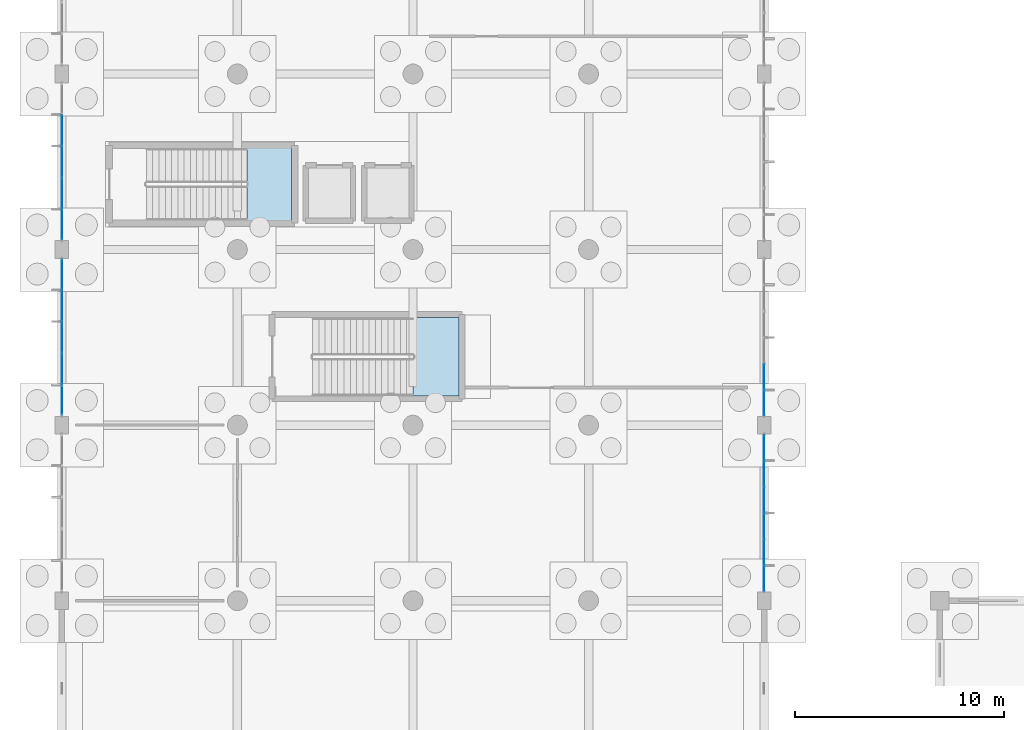
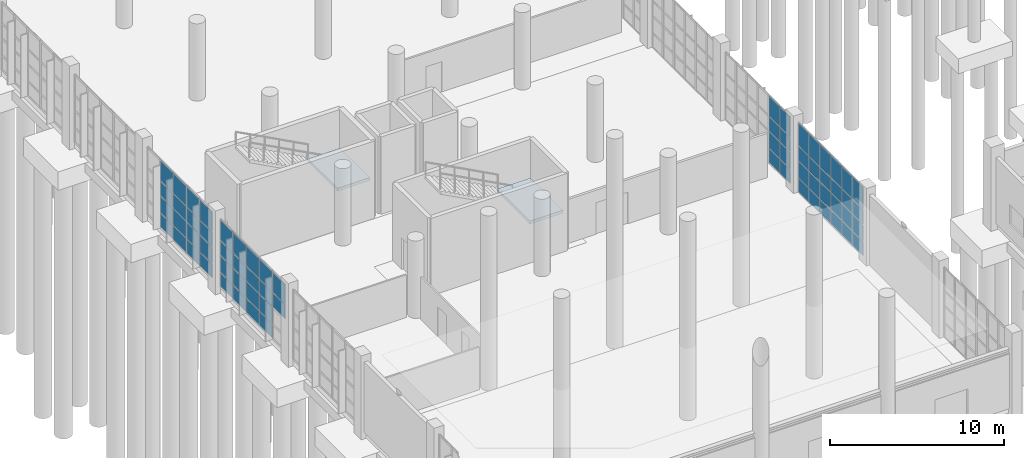
# One storey, part 39 of 83: 66 plates, 2 slabs, 6 elements without a shape of their own.
"""IFC4 building model written with IfcOpenShell, lengths in metres."""

import ifcopenshell
import ifcopenshell.guid

model = None  # the IFC model being written
_history = None  # IfcOwnerHistory: only IFC2X3 demands one
_inside = {}  # id of a spatial element -> (the spatial element, [elements in it])
_under = {}  # id of a project, library or spatial element -> (it, [spatial elements below it])
_declared = {}  # id of a project -> (the project, [libraries it declares])
_typed = {}  # id of a type object -> (the type object, [elements of that type])
_made_of = {}  # id of a material, layer set ... -> (it, [elements and type objects made of it])


def new_model(schema):
    """Start an empty IFC model of exactly this schema.

    Asked for "IFC4X3", IfcOpenShell would pick the latest addendum, in which some entities
    have other attributes; the version numbers below select the first issue.
    IFC2X3 requires an IfcOwnerHistory on every rooted entity: one is made here for all.
    """
    global model, _history
    if schema == "IFC4X3":
        model = ifcopenshell.file(schema_version=(4, 3, 0, 0))
    else:
        model = ifcopenshell.file(schema=schema)
    _inside.clear()
    _under.clear()
    _declared.clear()
    _typed.clear()
    _made_of.clear()
    _history = None
    if model.schema == "IFC2X3":
        org = make("IfcOrganization", Name="unknown")
        user = make(
            "IfcPersonAndOrganization",
            ThePerson=make("IfcPerson", FamilyName="unknown"),
            TheOrganization=org,
        )
        app = make(
            "IfcApplication",
            ApplicationDeveloper=org,
            Version="unknown",
            ApplicationFullName="unknown",
            ApplicationIdentifier="unknown",
        )
        _history = make(
            "IfcOwnerHistory",
            OwningUser=user,
            OwningApplication=app,
            ChangeAction="ADDED",
            CreationDate=0,
        )
    return model


def make(cls, **values):
    """One entity of the class cls with the attributes given. An attribute that is None is left unset."""
    return model.create_entity(
        cls, **{name: value for name, value in values.items() if value is not None}
    )


def rooted(cls, **values):
    """An entity with a GlobalId (a new one), such as an element, a storey or a relation."""
    return make(cls, GlobalId=ifcopenshell.guid.new(), OwnerHistory=_history, **values)


def si_unit(unit_type, name, prefix=None):
    """IfcSIUnit, for example si_unit("LENGTHUNIT", "METRE", prefix="MILLI")."""
    return make("IfcSIUnit", UnitType=unit_type, Prefix=prefix, Name=name)


def assignment(units):
    """IfcUnitAssignment: the units of a project."""
    return None if units is None else make("IfcUnitAssignment", Units=units)


def point(xyz):
    """IfcCartesianPoint."""
    return None if xyz is None else make("IfcCartesianPoint", Coordinates=xyz)


def direction(xyz):
    """IfcDirection."""
    return None if xyz is None else make("IfcDirection", DirectionRatios=xyz)


def frame(location, z_axis=None, x_axis=None):
    """IfcAxis2Placement3D, a coordinate frame: its origin and axes. An axis left out is left unset."""
    return make(
        "IfcAxis2Placement3D",
        Location=point(location),
        Axis=direction(z_axis),
        RefDirection=direction(x_axis),
    )


def frame_2d(location, x_axis=None):
    """IfcAxis2Placement2D, a coordinate frame in the plane: its origin and x axis."""
    return make(
        "IfcAxis2Placement2D", Location=point(location), RefDirection=direction(x_axis)
    )


def origin():
    """The frame at (0, 0, 0) with its axes left unset."""
    return frame((0.0, 0.0, 0.0))


def origin_2d():
    """The frame at (0, 0) in the plane with its x axis left unset."""
    return frame_2d((0.0, 0.0))


def place(relative_to, where):
    """IfcLocalPlacement: puts the frame where relative to a parent placement (None: the world)."""
    return make(
        "IfcLocalPlacement", PlacementRelTo=relative_to, RelativePlacement=where
    )


def context(
    kind, dimensions, precision=None, world=None, true_north=None, identifier=None
):
    """IfcGeometricRepresentationContext, for example the 3D "Model" context."""
    return make(
        "IfcGeometricRepresentationContext",
        ContextIdentifier=identifier,
        ContextType=kind,
        CoordinateSpaceDimension=dimensions,
        Precision=precision,
        WorldCoordinateSystem=world,
        TrueNorth=true_north,
    )


def subcontext(parent, identifier, kind, view, scale=None):
    """IfcGeometricRepresentationSubContext, for example "Body" below "Model"."""
    return make(
        "IfcGeometricRepresentationSubContext",
        ContextIdentifier=identifier,
        ContextType=kind,
        ParentContext=parent,
        TargetScale=scale,
        TargetView=view,
    )


def project(units=None, contexts=None):
    """IfcProject with its units and contexts."""
    return rooted(
        "IfcProject",
        Name="project",
        RepresentationContexts=contexts,
        UnitsInContext=assignment(units),
    )


def spatial(cls, under=None, at=None, **own):
    """A site, building, storey or space (cls), placed at a placement, below another one or the project."""
    s = rooted(cls, ObjectPlacement=at, **own)
    if under is not None:
        _under.setdefault(under.id(), (under, []))[1].append(s)
    return s


def polyline(points):
    """IfcPolyline through the points."""
    return make("IfcPolyline", Points=[point(p) for p in points])


def profile(cls, at=None, kind="AREA", **sizes):
    """A parametric profile (cls). Its sizes go by their IFC names, for example OverallWidth=200.0."""
    return make(cls, ProfileType=kind, Position=at, **sizes)


def rectangle(**sizes):
    """IfcRectangleProfileDef."""
    return profile("IfcRectangleProfileDef", **sizes)


def outline(outer, holes=None, kind="AREA"):
    """IfcArbitraryClosedProfileDef: a profile drawn as a closed curve; with holes, ...WithVoids."""
    if holes is None:
        return make("IfcArbitraryClosedProfileDef", ProfileType=kind, OuterCurve=outer)
    return make(
        "IfcArbitraryProfileDefWithVoids",
        ProfileType=kind,
        OuterCurve=outer,
        InnerCurves=holes,
    )


def extrude(swept, where, along, depth):
    """IfcExtrudedAreaSolid: the profile swept, set in the frame where, extruded along a direction by depth."""
    return make(
        "IfcExtrudedAreaSolid",
        SweptArea=swept,
        Position=where,
        ExtrudedDirection=direction(along),
        Depth=depth,
    )


def shape(context_of_items, identifier, shape_type, items):
    """IfcShapeRepresentation: the items that make up one representation, for example the "Body"."""
    return make(
        "IfcShapeRepresentation",
        ContextOfItems=context_of_items,
        RepresentationIdentifier=identifier,
        RepresentationType=shape_type,
        Items=items,
    )


def material(Name=None, Category=None):
    """IfcMaterial."""
    return make("IfcMaterial", Name=Name, Category=Category)


def layer(
    of_material, thickness, ventilated=None, Name=None, Category=None, Priority=None
):
    """IfcMaterialLayer: one layer of a wall or slab, of a material (None: an air gap)."""
    return make(
        "IfcMaterialLayer",
        Material=of_material,
        LayerThickness=thickness,
        IsVentilated=ventilated,
        Name=Name,
        Category=Category,
        Priority=Priority,
    )


def layer_set(layers, Name=None):
    """IfcMaterialLayerSet."""
    return make("IfcMaterialLayerSet", MaterialLayers=layers, LayerSetName=Name)


def made_of(thing, what):
    """Note that an element or type object is made of a material, layer set ...; save() writes the relation."""
    if what is not None:
        _made_of.setdefault(what.id(), (what, []))[1].append(thing)
    return thing


def type_object(cls, material=None, **own):
    """A type object (cls), such as IfcWallType, which elements share."""
    return made_of(rooted(cls, **own), material)


def element(
    cls,
    number,
    at=None,
    inside=None,
    cuts=None,
    type_object=None,
    material=None,
    context=None,
    identifier="Body",
    shape_type=None,
    held_by="IfcProductDefinitionShape",
    body=None,
    shapes=None,
    **own,
):
    """One element of the class cls, such as IfcWall. Its Tag is "e" and its number.

    at: its placement. inside: the storey or other place that contains it. cuts: it is an
    opening in that element (IfcRelVoidsElement). A single representation is given by context,
    identifier, shape_type and body (its items); several are given by shapes. held_by: the class
    of the entity that holds the representations. save() writes the other relations.
    """
    e = rooted(cls, Tag="e%d" % number, ObjectPlacement=at, **own)
    if body is not None:
        shapes = [shape(context, identifier, shape_type, body)]
    if shapes is not None:
        e.Representation = make(held_by, Representations=shapes)
    if inside is not None:
        _inside.setdefault(inside.id(), (inside, []))[1].append(e)
    if cuts is not None:
        rooted(
            "IfcRelVoidsElement", RelatingBuildingElement=cuts, RelatedOpeningElement=e
        )
    if type_object is not None:
        _typed.setdefault(type_object.id(), (type_object, []))[1].append(e)
    return made_of(e, material)


def aggregate(whole, parts):
    """IfcRelAggregates: a whole, such as a stair, and the parts it consists of."""
    return rooted("IfcRelAggregates", RelatingObject=whole, RelatedObjects=parts)


def save(model, path):
    """Write the relations noted so far, then the file.

    IfcRelAggregates (storeys below a building ...), IfcRelContainedInSpatialStructure (elements
    in a storey), IfcRelDefinesByType, IfcRelAssociatesMaterial and IfcRelDeclares: one each for
    every whole, place, type object, material and project.
    """
    for whole, parts in _under.values():
        aggregate(whole, parts)
    for where, things in _inside.values():
        rooted(
            "IfcRelContainedInSpatialStructure",
            RelatedElements=things,
            RelatingStructure=where,
        )
    for kind, things in _typed.values():
        rooted("IfcRelDefinesByType", RelatedObjects=things, RelatingType=kind)
    for what, things in _made_of.values():
        rooted("IfcRelAssociatesMaterial", RelatedObjects=things, RelatingMaterial=what)
    for by, libraries in _declared.values():
        rooted("IfcRelDeclares", RelatingContext=by, RelatedDefinitions=libraries)
    model.write(path)


model = new_model("IFC4")

# Units and contexts
model_context = context("Model", 3, precision=1e-05, world=origin(), true_north=direction((0.0, 1.0)))
body_context = subcontext(model_context, "Body", "Model", "MODEL_VIEW")
ifc_project = project(units=[si_unit("LENGTHUNIT", "METRE"), si_unit("AREAUNIT", "SQUARE_METRE"), si_unit("VOLUMEUNIT", "CUBIC_METRE"), si_unit("PLANEANGLEUNIT", "RADIAN"), si_unit("MASSUNIT", "GRAM", prefix="KILO"), si_unit("THERMODYNAMICTEMPERATUREUNIT", "KELVIN"), si_unit("POWERUNIT", "WATT")], contexts=[model_context])

# Site, building, storey
site_placement = place(None, origin())
site = spatial("IfcSite", under=ifc_project, at=site_placement, CompositionType="ELEMENT")
building_placement = place(site_placement, origin())
building = spatial("IfcBuilding", under=site, at=building_placement, Name="Mavoryth Pier Ferry Terminal", CompositionType="ELEMENT")
storey_placement = place(building_placement, origin())
storey = spatial("IfcBuildingStorey", under=building, at=storey_placement, Name="L00", CompositionType="ELEMENT", Elevation=0.0)

# Curtain wall, plates
ifc_material_1 = material(Name="Anodised Aluminium and Solar-Control Low-E Glass", Category="aluminium")
ifc_layer_1 = layer(ifc_material_1, 0.199951171875, Name="Anodised Aluminium and Solar-Control Low-E Glass", Category="aluminium")
ifc_layer_set_1 = layer_set([ifc_layer_1], Name="Anodised Aluminium and Solar-Control Low-E Glass - CW-Concourse-Mod1200")
curtain_wall_type_1 = type_object("IfcCurtainWallType", Name="CW-Concourse-Mod1200", PredefinedType="USERDEFINED", material=ifc_layer_set_1)
curtain_wall_1_placement = place(storey_placement, origin())
curtain_wall_1 = element("IfcCurtainWall", 1, at=curtain_wall_1_placement, inside=storey, type_object=curtain_wall_type_1, Name="Curtain Wall CW-0022-004", ObjectType="UNITISED CURTAIN WALL", PredefinedType="USERDEFINED")
ifc_material_2 = material(Name="Solar-Control Low-E Laminated Double Glazing", Category="glass")
ifc_layer_2 = layer(ifc_material_2, 0.02392578125, Name="Solar-Control Low-E Laminated Double Glazing", Category="glass")
ifc_layer_set_2 = layer_set([ifc_layer_2], Name="Solar-Control Low-E Laminated Double Glazing - Panel-LowE-DGU-24")
plate_type = type_object("IfcPlateType", Name="Panel-LowE-DGU-24", PredefinedType="CURTAIN_PANEL", material=ifc_layer_set_2)
plate_1_placement = place(storey_placement, frame((33.60009765625, 39.869140625, 0.06005859375), z_axis=(0.0, 0.0, 1.0), x_axis=(0.0, 1.0, 0.0)))
plate_1 = element("IfcPlate", 2, at=plate_1_placement, type_object=plate_type, Name="CW02 panel 1.1", PredefinedType="CURTAIN_PANEL", context=body_context, shape_type="SweptSolid", body=[
    extrude(rectangle(XDim=1.168212890625, YDim=0.02392578125, at=origin_2d()), origin(), (0.0, 0.0, 1.0), 0.9599609375),
])
plate_2_placement = place(storey_placement, frame((33.60009765625, 39.869140625, 1.080078125), z_axis=(0.0, 0.0, 1.0), x_axis=(0.0, 1.0, 0.0)))
plate_2 = element("IfcPlate", 3, at=plate_2_placement, type_object=plate_type, Name="CW02 panel 1.2", PredefinedType="CURTAIN_PANEL", context=body_context, shape_type="SweptSolid", body=[
    extrude(rectangle(XDim=1.168212890625, YDim=0.02392578125, at=origin_2d()), origin(), (0.0, 0.0, 1.0), 1.139892578125),
])
plate_3_placement = place(storey_placement, frame((33.60009765625, 39.869140625, 2.27978515625), z_axis=(0.0, 0.0, 1.0), x_axis=(0.0, 1.0, 0.0)))
plate_3 = element("IfcPlate", 4, at=plate_3_placement, type_object=plate_type, Name="CW02 panel 1.3", PredefinedType="CURTAIN_PANEL", context=body_context, shape_type="SweptSolid", body=[
    extrude(rectangle(XDim=1.168212890625, YDim=0.02392578125, at=origin_2d()), origin(), (0.0, 0.0, 1.0), 0.989990234375),
])
plate_4_placement = place(storey_placement, frame((33.60009765625, 39.869140625, 3.330078125), z_axis=(0.0, 0.0, 1.0), x_axis=(0.0, 1.0, 0.0)))
plate_4 = element("IfcPlate", 5, at=plate_4_placement, type_object=plate_type, Name="CW02 panel 1.4", PredefinedType="CURTAIN_PANEL", context=body_context, shape_type="SweptSolid", body=[
    extrude(rectangle(XDim=1.168212890625, YDim=0.02392578125, at=origin_2d()), origin(), (0.0, 0.0, 1.0), 1.550048828125),
])
plate_5_placement = place(storey_placement, frame((33.60009765625, 41.112548828125, 0.06005859375), z_axis=(0.0, 0.0, 1.0), x_axis=(0.0, 1.0, 0.0)))
plate_5 = element("IfcPlate", 6, at=plate_5_placement, type_object=plate_type, Name="CW02 panel 2.1", PredefinedType="CURTAIN_PANEL", context=body_context, shape_type="SweptSolid", body=[
    extrude(rectangle(XDim=1.1982421875, YDim=0.02392578125, at=origin_2d()), origin(), (0.0, 0.0, 1.0), 0.9599609375),
])
plate_6_placement = place(storey_placement, frame((33.60009765625, 41.112548828125, 1.080078125), z_axis=(0.0, 0.0, 1.0), x_axis=(0.0, 1.0, 0.0)))
plate_6 = element("IfcPlate", 7, at=plate_6_placement, type_object=plate_type, Name="CW02 panel 2.2", PredefinedType="CURTAIN_PANEL", context=body_context, shape_type="SweptSolid", body=[
    extrude(rectangle(XDim=1.1982421875, YDim=0.02392578125, at=origin_2d()), origin(), (0.0, 0.0, 1.0), 1.139892578125),
])
plate_7_placement = place(storey_placement, frame((33.60009765625, 41.112548828125, 2.27978515625), z_axis=(0.0, 0.0, 1.0), x_axis=(0.0, 1.0, 0.0)))
plate_7 = element("IfcPlate", 8, at=plate_7_placement, type_object=plate_type, Name="CW02 panel 2.3", PredefinedType="CURTAIN_PANEL", context=body_context, shape_type="SweptSolid", body=[
    extrude(rectangle(XDim=1.1982421875, YDim=0.02392578125, at=origin_2d()), origin(), (0.0, 0.0, 1.0), 0.989990234375),
])
plate_8_placement = place(storey_placement, frame((33.60009765625, 41.112548828125, 3.330078125), z_axis=(0.0, 0.0, 1.0), x_axis=(0.0, 1.0, 0.0)))
plate_8 = element("IfcPlate", 9, at=plate_8_placement, type_object=plate_type, Name="CW02 panel 2.4", PredefinedType="CURTAIN_PANEL", context=body_context, shape_type="SweptSolid", body=[
    extrude(rectangle(XDim=1.1982421875, YDim=0.02392578125, at=origin_2d()), origin(), (0.0, 0.0, 1.0), 1.550048828125),
])
plate_9_placement = place(storey_placement, frame((33.60009765625, 42.370849609375, 0.06005859375), z_axis=(0.0, 0.0, 1.0), x_axis=(0.0, 1.0, 0.0)))
plate_9 = element("IfcPlate", 10, at=plate_9_placement, type_object=plate_type, Name="CW02 panel 3.1", PredefinedType="CURTAIN_PANEL", context=body_context, shape_type="SweptSolid", body=[
    extrude(rectangle(XDim=1.1982421875, YDim=0.02392578125, at=origin_2d()), origin(), (0.0, 0.0, 1.0), 0.9599609375),
])
plate_10_placement = place(storey_placement, frame((33.60009765625, 42.370849609375, 1.080078125), z_axis=(0.0, 0.0, 1.0), x_axis=(0.0, 1.0, 0.0)))
plate_10 = element("IfcPlate", 11, at=plate_10_placement, type_object=plate_type, Name="CW02 panel 3.2", PredefinedType="CURTAIN_PANEL", context=body_context, shape_type="SweptSolid", body=[
    extrude(rectangle(XDim=1.1982421875, YDim=0.02392578125, at=origin_2d()), origin(), (0.0, 0.0, 1.0), 1.139892578125),
])
plate_11_placement = place(storey_placement, frame((33.60009765625, 42.370849609375, 2.27978515625), z_axis=(0.0, 0.0, 1.0), x_axis=(0.0, 1.0, 0.0)))
plate_11 = element("IfcPlate", 12, at=plate_11_placement, type_object=plate_type, Name="CW02 panel 3.3", PredefinedType="CURTAIN_PANEL", context=body_context, shape_type="SweptSolid", body=[
    extrude(rectangle(XDim=1.1982421875, YDim=0.02392578125, at=origin_2d()), origin(), (0.0, 0.0, 1.0), 0.989990234375),
])
plate_12_placement = place(storey_placement, frame((33.60009765625, 42.370849609375, 3.330078125), z_axis=(0.0, 0.0, 1.0), x_axis=(0.0, 1.0, 0.0)))
plate_12 = element("IfcPlate", 13, at=plate_12_placement, type_object=plate_type, Name="CW02 panel 3.4", PredefinedType="CURTAIN_PANEL", context=body_context, shape_type="SweptSolid", body=[
    extrude(rectangle(XDim=1.1982421875, YDim=0.02392578125, at=origin_2d()), origin(), (0.0, 0.0, 1.0), 1.550048828125),
])
plate_13_placement = place(storey_placement, frame((33.60009765625, 43.629150390625, 0.06005859375), z_axis=(0.0, 0.0, 1.0), x_axis=(0.0, 1.0, 0.0)))
plate_13 = element("IfcPlate", 14, at=plate_13_placement, type_object=plate_type, Name="CW02 panel 4.1", PredefinedType="CURTAIN_PANEL", context=body_context, shape_type="SweptSolid", body=[
    extrude(rectangle(XDim=1.1982421875, YDim=0.02392578125, at=origin_2d()), origin(), (0.0, 0.0, 1.0), 0.9599609375),
])
plate_14_placement = place(storey_placement, frame((33.60009765625, 43.629150390625, 1.080078125), z_axis=(0.0, 0.0, 1.0), x_axis=(0.0, 1.0, 0.0)))
plate_14 = element("IfcPlate", 15, at=plate_14_placement, type_object=plate_type, Name="CW02 panel 4.2", PredefinedType="CURTAIN_PANEL", context=body_context, shape_type="SweptSolid", body=[
    extrude(rectangle(XDim=1.1982421875, YDim=0.02392578125, at=origin_2d()), origin(), (0.0, 0.0, 1.0), 1.139892578125),
])
plate_15_placement = place(storey_placement, frame((33.60009765625, 43.629150390625, 2.27978515625), z_axis=(0.0, 0.0, 1.0), x_axis=(0.0, 1.0, 0.0)))
plate_15 = element("IfcPlate", 16, at=plate_15_placement, type_object=plate_type, Name="CW02 panel 4.3", PredefinedType="CURTAIN_PANEL", context=body_context, shape_type="SweptSolid", body=[
    extrude(rectangle(XDim=1.1982421875, YDim=0.02392578125, at=origin_2d()), origin(), (0.0, 0.0, 1.0), 0.989990234375),
])
plate_16_placement = place(storey_placement, frame((33.60009765625, 43.629150390625, 3.330078125), z_axis=(0.0, 0.0, 1.0), x_axis=(0.0, 1.0, 0.0)))
plate_16 = element("IfcPlate", 17, at=plate_16_placement, type_object=plate_type, Name="CW02 panel 4.4", PredefinedType="CURTAIN_PANEL", context=body_context, shape_type="SweptSolid", body=[
    extrude(rectangle(XDim=1.1982421875, YDim=0.02392578125, at=origin_2d()), origin(), (0.0, 0.0, 1.0), 1.550048828125),
])
plate_17_placement = place(storey_placement, frame((33.60009765625, 44.887451171875, 0.06005859375), z_axis=(0.0, 0.0, 1.0), x_axis=(0.0, 1.0, 0.0)))
plate_17 = element("IfcPlate", 18, at=plate_17_placement, type_object=plate_type, Name="CW02 panel 5.1", PredefinedType="CURTAIN_PANEL", context=body_context, shape_type="SweptSolid", body=[
    extrude(rectangle(XDim=1.1982421875, YDim=0.02392578125, at=origin_2d()), origin(), (0.0, 0.0, 1.0), 0.9599609375),
])
plate_18_placement = place(storey_placement, frame((33.60009765625, 44.887451171875, 1.080078125), z_axis=(0.0, 0.0, 1.0), x_axis=(0.0, 1.0, 0.0)))
plate_18 = element("IfcPlate", 19, at=plate_18_placement, type_object=plate_type, Name="CW02 panel 5.2", PredefinedType="CURTAIN_PANEL", context=body_context, shape_type="SweptSolid", body=[
    extrude(rectangle(XDim=1.1982421875, YDim=0.02392578125, at=origin_2d()), origin(), (0.0, 0.0, 1.0), 1.139892578125),
])
plate_19_placement = place(storey_placement, frame((33.60009765625, 44.887451171875, 2.27978515625), z_axis=(0.0, 0.0, 1.0), x_axis=(0.0, 1.0, 0.0)))
plate_19 = element("IfcPlate", 20, at=plate_19_placement, type_object=plate_type, Name="CW02 panel 5.3", PredefinedType="CURTAIN_PANEL", context=body_context, shape_type="SweptSolid", body=[
    extrude(rectangle(XDim=1.1982421875, YDim=0.02392578125, at=origin_2d()), origin(), (0.0, 0.0, 1.0), 0.989990234375),
])
plate_20_placement = place(storey_placement, frame((33.60009765625, 44.887451171875, 3.330078125), z_axis=(0.0, 0.0, 1.0), x_axis=(0.0, 1.0, 0.0)))
plate_20 = element("IfcPlate", 21, at=plate_20_placement, type_object=plate_type, Name="CW02 panel 5.4", PredefinedType="CURTAIN_PANEL", context=body_context, shape_type="SweptSolid", body=[
    extrude(rectangle(XDim=1.1982421875, YDim=0.02392578125, at=origin_2d()), origin(), (0.0, 0.0, 1.0), 1.550048828125),
])
plate_21_placement = place(storey_placement, frame((33.60009765625, 46.130859375, 0.06005859375), z_axis=(0.0, 0.0, 1.0), x_axis=(0.0, 1.0, 0.0)))
plate_21 = element("IfcPlate", 22, at=plate_21_placement, type_object=plate_type, Name="CW02 panel 6.1", PredefinedType="CURTAIN_PANEL", context=body_context, shape_type="SweptSolid", body=[
    extrude(rectangle(XDim=1.168212890625, YDim=0.02392578125, at=origin_2d()), origin(), (0.0, 0.0, 1.0), 0.9599609375),
])
plate_22_placement = place(storey_placement, frame((33.60009765625, 46.130859375, 1.080078125), z_axis=(0.0, 0.0, 1.0), x_axis=(0.0, 1.0, 0.0)))
plate_22 = element("IfcPlate", 23, at=plate_22_placement, type_object=plate_type, Name="CW02 panel 6.2", PredefinedType="CURTAIN_PANEL", context=body_context, shape_type="SweptSolid", body=[
    extrude(rectangle(XDim=1.168212890625, YDim=0.02392578125, at=origin_2d()), origin(), (0.0, 0.0, 1.0), 1.139892578125),
])
plate_23_placement = place(storey_placement, frame((33.60009765625, 46.130859375, 2.27978515625), z_axis=(0.0, 0.0, 1.0), x_axis=(0.0, 1.0, 0.0)))
plate_23 = element("IfcPlate", 24, at=plate_23_placement, type_object=plate_type, Name="CW02 panel 6.3", PredefinedType="CURTAIN_PANEL", context=body_context, shape_type="SweptSolid", body=[
    extrude(rectangle(XDim=1.168212890625, YDim=0.02392578125, at=origin_2d()), origin(), (0.0, 0.0, 1.0), 0.989990234375),
])
plate_24_placement = place(storey_placement, frame((33.60009765625, 46.130859375, 3.330078125), z_axis=(0.0, 0.0, 1.0), x_axis=(0.0, 1.0, 0.0)))
plate_24 = element("IfcPlate", 25, at=plate_24_placement, type_object=plate_type, Name="CW02 panel 6.4", PredefinedType="CURTAIN_PANEL", context=body_context, shape_type="SweptSolid", body=[
    extrude(rectangle(XDim=1.168212890625, YDim=0.02392578125, at=origin_2d()), origin(), (0.0, 0.0, 1.0), 1.550048828125),
])
aggregate(curtain_wall_1, [plate_1, plate_2, plate_3, plate_4, plate_5, plate_6, plate_7, plate_8, plate_9, plate_10, plate_11, plate_12, plate_13, plate_14, plate_15, plate_16, plate_17, plate_18, plate_19, plate_20, plate_21, plate_22, plate_23, plate_24])

ifc_layer_3 = layer(ifc_material_1, 0.179931640625, Name="Anodised Aluminium and Solar-Control Low-E Glass", Category="aluminium")
ifc_layer_set_3 = layer_set([ifc_layer_3], Name="Anodised Aluminium and Solar-Control Low-E Glass - CW-Concourse-Mod1400")
curtain_wall_type_2 = type_object("IfcCurtainWallType", Name="CW-Concourse-Mod1400", PredefinedType="USERDEFINED", material=ifc_layer_set_3)
curtain_wall_2_placement = place(storey_placement, origin())
curtain_wall_2 = element("IfcCurtainWall", 26, at=curtain_wall_2_placement, inside=storey, type_object=curtain_wall_type_2, Name="Curtain Wall CW-0033-005", ObjectType="UNITISED CURTAIN WALL", PredefinedType="USERDEFINED")
plate_25_placement = place(storey_placement, frame((0.0, 54.40380859375, 0.06494140625), z_axis=(0.0, 0.0, 1.0), x_axis=(0.0, -1.0, 0.0)))
plate_25 = element("IfcPlate", 27, at=plate_25_placement, type_object=plate_type, Name="CW01 panel 1.1", PredefinedType="CURTAIN_PANEL", context=body_context, shape_type="SweptSolid", body=[
    extrude(rectangle(XDim=1.41259765625, YDim=0.02392578125, at=origin_2d()), origin(), (0.0, 0.0, 1.0), 0.952392578125),
])
plate_26_placement = place(storey_placement, frame((0.0, 54.40380859375, 1.08251953125), z_axis=(0.0, 0.0, 1.0), x_axis=(0.0, -1.0, 0.0)))
plate_26 = element("IfcPlate", 28, at=plate_26_placement, type_object=plate_type, Name="CW01 panel 1.2", PredefinedType="CURTAIN_PANEL", context=body_context, shape_type="SweptSolid", body=[
    extrude(rectangle(XDim=1.41259765625, YDim=0.02392578125, at=origin_2d()), origin(), (0.0, 0.0, 1.0), 1.135009765625),
])
plate_27_placement = place(storey_placement, frame((0.0, 54.40380859375, 2.2822265625), z_axis=(0.0, 0.0, 1.0), x_axis=(0.0, -1.0, 0.0)))
plate_27 = element("IfcPlate", 29, at=plate_27_placement, type_object=plate_type, Name="CW01 panel 1.3", PredefinedType="CURTAIN_PANEL", context=body_context, shape_type="SweptSolid", body=[
    extrude(rectangle(XDim=1.41259765625, YDim=0.02392578125, at=origin_2d()), origin(), (0.0, 0.0, 1.0), 0.985107421875),
])
plate_28_placement = place(storey_placement, frame((0.0, 54.40380859375, 3.33251953125), z_axis=(0.0, 0.0, 1.0), x_axis=(0.0, -1.0, 0.0)))
plate_28 = element("IfcPlate", 30, at=plate_28_placement, type_object=plate_type, Name="CW01 panel 1.4", PredefinedType="CURTAIN_PANEL", context=body_context, shape_type="SweptSolid", body=[
    extrude(rectangle(XDim=1.41259765625, YDim=0.02392578125, at=origin_2d()), origin(), (0.0, 0.0, 1.0), 1.3974609375),
])
plate_29_placement = place(storey_placement, frame((0.0, 52.909912109375, 0.06494140625), z_axis=(0.0, 0.0, 1.0), x_axis=(0.0, -1.0, 0.0)))
plate_29 = element("IfcPlate", 31, at=plate_29_placement, type_object=plate_type, Name="CW01 panel 2.1", PredefinedType="CURTAIN_PANEL", context=body_context, shape_type="SweptSolid", body=[
    extrude(rectangle(XDim=1.445068359375, YDim=0.02392578125, at=origin_2d()), origin(), (0.0, 0.0, 1.0), 0.952392578125),
])
plate_30_placement = place(storey_placement, frame((0.0, 52.909912109375, 1.08251953125), z_axis=(0.0, 0.0, 1.0), x_axis=(0.0, -1.0, 0.0)))
plate_30 = element("IfcPlate", 32, at=plate_30_placement, type_object=plate_type, Name="CW01 panel 2.2", PredefinedType="CURTAIN_PANEL", context=body_context, shape_type="SweptSolid", body=[
    extrude(rectangle(XDim=1.445068359375, YDim=0.02392578125, at=origin_2d()), origin(), (0.0, 0.0, 1.0), 1.135009765625),
])
plate_31_placement = place(storey_placement, frame((0.0, 52.909912109375, 2.2822265625), z_axis=(0.0, 0.0, 1.0), x_axis=(0.0, -1.0, 0.0)))
plate_31 = element("IfcPlate", 33, at=plate_31_placement, type_object=plate_type, Name="CW01 panel 2.3", PredefinedType="CURTAIN_PANEL", context=body_context, shape_type="SweptSolid", body=[
    extrude(rectangle(XDim=1.445068359375, YDim=0.02392578125, at=origin_2d()), origin(), (0.0, 0.0, 1.0), 0.985107421875),
])
plate_32_placement = place(storey_placement, frame((0.0, 52.909912109375, 3.33251953125), z_axis=(0.0, 0.0, 1.0), x_axis=(0.0, -1.0, 0.0)))
plate_32 = element("IfcPlate", 34, at=plate_32_placement, type_object=plate_type, Name="CW01 panel 2.4", PredefinedType="CURTAIN_PANEL", context=body_context, shape_type="SweptSolid", body=[
    extrude(rectangle(XDim=1.445068359375, YDim=0.02392578125, at=origin_2d()), origin(), (0.0, 0.0, 1.0), 1.3974609375),
])
plate_33_placement = place(storey_placement, frame((0.0, 51.39990234375, 0.06494140625), z_axis=(0.0, 0.0, 1.0), x_axis=(0.0, -1.0, 0.0)))
plate_33 = element("IfcPlate", 35, at=plate_33_placement, type_object=plate_type, Name="CW01 panel 3.1", PredefinedType="CURTAIN_PANEL", context=body_context, shape_type="SweptSolid", body=[
    extrude(rectangle(XDim=1.445068359375, YDim=0.02392578125, at=origin_2d()), origin(), (0.0, 0.0, 1.0), 0.952392578125),
])
plate_34_placement = place(storey_placement, frame((0.0, 51.39990234375, 1.08251953125), z_axis=(0.0, 0.0, 1.0), x_axis=(0.0, -1.0, 0.0)))
plate_34 = element("IfcPlate", 36, at=plate_34_placement, type_object=plate_type, Name="CW01 panel 3.2", PredefinedType="CURTAIN_PANEL", context=body_context, shape_type="SweptSolid", body=[
    extrude(rectangle(XDim=1.445068359375, YDim=0.02392578125, at=origin_2d()), origin(), (0.0, 0.0, 1.0), 1.135009765625),
])
plate_35_placement = place(storey_placement, frame((0.0, 51.39990234375, 2.2822265625), z_axis=(0.0, 0.0, 1.0), x_axis=(0.0, -1.0, 0.0)))
plate_35 = element("IfcPlate", 37, at=plate_35_placement, type_object=plate_type, Name="CW01 panel 3.3", PredefinedType="CURTAIN_PANEL", context=body_context, shape_type="SweptSolid", body=[
    extrude(rectangle(XDim=1.445068359375, YDim=0.02392578125, at=origin_2d()), origin(), (0.0, 0.0, 1.0), 0.985107421875),
])
plate_36_placement = place(storey_placement, frame((0.0, 51.39990234375, 3.33251953125), z_axis=(0.0, 0.0, 1.0), x_axis=(0.0, -1.0, 0.0)))
plate_36 = element("IfcPlate", 38, at=plate_36_placement, type_object=plate_type, Name="CW01 panel 3.4", PredefinedType="CURTAIN_PANEL", context=body_context, shape_type="SweptSolid", body=[
    extrude(rectangle(XDim=1.445068359375, YDim=0.02392578125, at=origin_2d()), origin(), (0.0, 0.0, 1.0), 1.3974609375),
])
plate_37_placement = place(storey_placement, frame((0.0, 49.889892578125, 0.06494140625), z_axis=(0.0, 0.0, 1.0), x_axis=(0.0, -1.0, 0.0)))
plate_37 = element("IfcPlate", 39, at=plate_37_placement, type_object=plate_type, Name="CW01 panel 4.1", PredefinedType="CURTAIN_PANEL", context=body_context, shape_type="SweptSolid", body=[
    extrude(rectangle(XDim=1.445068359375, YDim=0.02392578125, at=origin_2d()), origin(), (0.0, 0.0, 1.0), 0.952392578125),
])
plate_38_placement = place(storey_placement, frame((0.0, 49.889892578125, 1.08251953125), z_axis=(0.0, 0.0, 1.0), x_axis=(0.0, -1.0, 0.0)))
plate_38 = element("IfcPlate", 40, at=plate_38_placement, type_object=plate_type, Name="CW01 panel 4.2", PredefinedType="CURTAIN_PANEL", context=body_context, shape_type="SweptSolid", body=[
    extrude(rectangle(XDim=1.445068359375, YDim=0.02392578125, at=origin_2d()), origin(), (0.0, 0.0, 1.0), 1.135009765625),
])
plate_39_placement = place(storey_placement, frame((0.0, 49.889892578125, 2.2822265625), z_axis=(0.0, 0.0, 1.0), x_axis=(0.0, -1.0, 0.0)))
plate_39 = element("IfcPlate", 41, at=plate_39_placement, type_object=plate_type, Name="CW01 panel 4.3", PredefinedType="CURTAIN_PANEL", context=body_context, shape_type="SweptSolid", body=[
    extrude(rectangle(XDim=1.445068359375, YDim=0.02392578125, at=origin_2d()), origin(), (0.0, 0.0, 1.0), 0.985107421875),
])
plate_40_placement = place(storey_placement, frame((0.0, 49.889892578125, 3.33251953125), z_axis=(0.0, 0.0, 1.0), x_axis=(0.0, -1.0, 0.0)))
plate_40 = element("IfcPlate", 42, at=plate_40_placement, type_object=plate_type, Name="CW01 panel 4.4", PredefinedType="CURTAIN_PANEL", context=body_context, shape_type="SweptSolid", body=[
    extrude(rectangle(XDim=1.445068359375, YDim=0.02392578125, at=origin_2d()), origin(), (0.0, 0.0, 1.0), 1.3974609375),
])
plate_41_placement = place(storey_placement, frame((0.0, 48.396240234375, 2.2822265625), z_axis=(0.0, 0.0, 1.0), x_axis=(0.0, -1.0, 0.0)))
plate_41 = element("IfcPlate", 43, at=plate_41_placement, type_object=plate_type, Name="CW01 panel 5.3", PredefinedType="CURTAIN_PANEL", context=body_context, shape_type="SweptSolid", body=[
    extrude(rectangle(XDim=1.41259765625, YDim=0.02392578125, at=origin_2d()), origin(), (0.0, 0.0, 1.0), 0.985107421875),
])
plate_42_placement = place(storey_placement, frame((0.0, 48.396240234375, 3.33251953125), z_axis=(0.0, 0.0, 1.0), x_axis=(0.0, -1.0, 0.0)))
plate_42 = element("IfcPlate", 44, at=plate_42_placement, type_object=plate_type, Name="CW01 panel 5.4", PredefinedType="CURTAIN_PANEL", context=body_context, shape_type="SweptSolid", body=[
    extrude(rectangle(XDim=1.41259765625, YDim=0.02392578125, at=origin_2d()), origin(), (0.0, 0.0, 1.0), 1.3974609375),
])
aggregate(curtain_wall_2, [plate_25, plate_26, plate_27, plate_28, plate_29, plate_30, plate_31, plate_32, plate_33, plate_34, plate_35, plate_36, plate_37, plate_38, plate_39, plate_40, plate_41, plate_42])

curtain_wall_3_placement = place(storey_placement, origin())
curtain_wall_3 = element("IfcCurtainWall", 45, at=curtain_wall_3_placement, inside=storey, type_object=curtain_wall_type_1, Name="Curtain Wall CW-0022-006", ObjectType="UNITISED CURTAIN WALL", PredefinedType="USERDEFINED")
plate_43_placement = place(storey_placement, frame((33.60009765625, 48.269287109375, 0.06005859375), z_axis=(0.0, 0.0, 1.0), x_axis=(0.0, 1.0, 0.0)))
plate_43 = element("IfcPlate", 46, at=plate_43_placement, type_object=plate_type, Name="CW02 panel 1.1", PredefinedType="CURTAIN_PANEL", context=body_context, shape_type="SweptSolid", body=[
    extrude(rectangle(XDim=1.168212890625, YDim=0.02392578125, at=origin_2d()), origin(), (0.0, 0.0, 1.0), 0.9599609375),
])
plate_44_placement = place(storey_placement, frame((33.60009765625, 48.269287109375, 1.080078125), z_axis=(0.0, 0.0, 1.0), x_axis=(0.0, 1.0, 0.0)))
plate_44 = element("IfcPlate", 47, at=plate_44_placement, type_object=plate_type, Name="CW02 panel 1.2", PredefinedType="CURTAIN_PANEL", context=body_context, shape_type="SweptSolid", body=[
    extrude(rectangle(XDim=1.168212890625, YDim=0.02392578125, at=origin_2d()), origin(), (0.0, 0.0, 1.0), 1.139892578125),
])
plate_45_placement = place(storey_placement, frame((33.60009765625, 48.269287109375, 2.27978515625), z_axis=(0.0, 0.0, 1.0), x_axis=(0.0, 1.0, 0.0)))
plate_45 = element("IfcPlate", 48, at=plate_45_placement, type_object=plate_type, Name="CW02 panel 1.3", PredefinedType="CURTAIN_PANEL", context=body_context, shape_type="SweptSolid", body=[
    extrude(rectangle(XDim=1.168212890625, YDim=0.02392578125, at=origin_2d()), origin(), (0.0, 0.0, 1.0), 0.989990234375),
])
plate_46_placement = place(storey_placement, frame((33.60009765625, 48.269287109375, 3.330078125), z_axis=(0.0, 0.0, 1.0), x_axis=(0.0, 1.0, 0.0)))
plate_46 = element("IfcPlate", 49, at=plate_46_placement, type_object=plate_type, Name="CW02 panel 1.4", PredefinedType="CURTAIN_PANEL", context=body_context, shape_type="SweptSolid", body=[
    extrude(rectangle(XDim=1.168212890625, YDim=0.02392578125, at=origin_2d()), origin(), (0.0, 0.0, 1.0), 1.405029296875),
])
plate_47_placement = place(storey_placement, frame((33.60009765625, 49.512451171875, 0.06005859375), z_axis=(0.0, 0.0, 1.0), x_axis=(0.0, 1.0, 0.0)))
plate_47 = element("IfcPlate", 50, at=plate_47_placement, type_object=plate_type, Name="CW02 panel 2.1", PredefinedType="CURTAIN_PANEL", context=body_context, shape_type="SweptSolid", body=[
    extrude(rectangle(XDim=1.1982421875, YDim=0.02392578125, at=origin_2d()), origin(), (0.0, 0.0, 1.0), 0.9599609375),
])
plate_48_placement = place(storey_placement, frame((33.60009765625, 49.512451171875, 1.080078125), z_axis=(0.0, 0.0, 1.0), x_axis=(0.0, 1.0, 0.0)))
plate_48 = element("IfcPlate", 51, at=plate_48_placement, type_object=plate_type, Name="CW02 panel 2.2", PredefinedType="CURTAIN_PANEL", context=body_context, shape_type="SweptSolid", body=[
    extrude(rectangle(XDim=1.1982421875, YDim=0.02392578125, at=origin_2d()), origin(), (0.0, 0.0, 1.0), 1.139892578125),
])
plate_49_placement = place(storey_placement, frame((33.60009765625, 49.512451171875, 2.27978515625), z_axis=(0.0, 0.0, 1.0), x_axis=(0.0, 1.0, 0.0)))
plate_49 = element("IfcPlate", 52, at=plate_49_placement, type_object=plate_type, Name="CW02 panel 2.3", PredefinedType="CURTAIN_PANEL", context=body_context, shape_type="SweptSolid", body=[
    extrude(rectangle(XDim=1.1982421875, YDim=0.02392578125, at=origin_2d()), origin(), (0.0, 0.0, 1.0), 0.989990234375),
])
plate_50_placement = place(storey_placement, frame((33.60009765625, 49.512451171875, 3.330078125), z_axis=(0.0, 0.0, 1.0), x_axis=(0.0, 1.0, 0.0)))
plate_50 = element("IfcPlate", 53, at=plate_50_placement, type_object=plate_type, Name="CW02 panel 2.4", PredefinedType="CURTAIN_PANEL", context=body_context, shape_type="SweptSolid", body=[
    extrude(rectangle(XDim=1.1982421875, YDim=0.02392578125, at=origin_2d()), origin(), (0.0, 0.0, 1.0), 1.405029296875),
])
aggregate(curtain_wall_3, [plate_43, plate_44, plate_45, plate_46, plate_47, plate_48, plate_49, plate_50])

curtain_wall_4_placement = place(storey_placement, origin())
curtain_wall_4 = element("IfcCurtainWall", 54, at=curtain_wall_4_placement, inside=storey, type_object=curtain_wall_type_2, Name="Curtain Wall CW-0033-009", ObjectType="UNITISED CURTAIN WALL", PredefinedType="USERDEFINED")
plate_51_placement = place(storey_placement, frame((0.0, 61.31005859375, 0.06494140625), z_axis=(0.0, 0.0, 1.0), x_axis=(0.0, -1.0, 0.0)))
plate_51 = element("IfcPlate", 55, at=plate_51_placement, type_object=plate_type, Name="CW01 panel 2.1", PredefinedType="CURTAIN_PANEL", context=body_context, shape_type="SweptSolid", body=[
    extrude(rectangle(XDim=1.445068359375, YDim=0.02392578125, at=origin_2d()), origin(), (0.0, 0.0, 1.0), 0.952392578125),
])
plate_52_placement = place(storey_placement, frame((0.0, 61.31005859375, 1.08251953125), z_axis=(0.0, 0.0, 1.0), x_axis=(0.0, -1.0, 0.0)))
plate_52 = element("IfcPlate", 56, at=plate_52_placement, type_object=plate_type, Name="CW01 panel 2.2", PredefinedType="CURTAIN_PANEL", context=body_context, shape_type="SweptSolid", body=[
    extrude(rectangle(XDim=1.445068359375, YDim=0.02392578125, at=origin_2d()), origin(), (0.0, 0.0, 1.0), 1.135009765625),
])
plate_53_placement = place(storey_placement, frame((0.0, 61.31005859375, 2.2822265625), z_axis=(0.0, 0.0, 1.0), x_axis=(0.0, -1.0, 0.0)))
plate_53 = element("IfcPlate", 57, at=plate_53_placement, type_object=plate_type, Name="CW01 panel 2.3", PredefinedType="CURTAIN_PANEL", context=body_context, shape_type="SweptSolid", body=[
    extrude(rectangle(XDim=1.445068359375, YDim=0.02392578125, at=origin_2d()), origin(), (0.0, 0.0, 1.0), 0.985107421875),
])
plate_54_placement = place(storey_placement, frame((0.0, 61.31005859375, 3.33251953125), z_axis=(0.0, 0.0, 1.0), x_axis=(0.0, -1.0, 0.0)))
plate_54 = element("IfcPlate", 58, at=plate_54_placement, type_object=plate_type, Name="CW01 panel 2.4", PredefinedType="CURTAIN_PANEL", context=body_context, shape_type="SweptSolid", body=[
    extrude(rectangle(XDim=1.445068359375, YDim=0.02392578125, at=origin_2d()), origin(), (0.0, 0.0, 1.0), 1.3974609375),
])
plate_55_placement = place(storey_placement, frame((0.0, 59.800048828125, 0.06494140625), z_axis=(0.0, 0.0, 1.0), x_axis=(0.0, -1.0, 0.0)))
plate_55 = element("IfcPlate", 59, at=plate_55_placement, type_object=plate_type, Name="CW01 panel 3.1", PredefinedType="CURTAIN_PANEL", context=body_context, shape_type="SweptSolid", body=[
    extrude(rectangle(XDim=1.445068359375, YDim=0.02392578125, at=origin_2d()), origin(), (0.0, 0.0, 1.0), 0.952392578125),
])
plate_56_placement = place(storey_placement, frame((0.0, 59.800048828125, 1.08251953125), z_axis=(0.0, 0.0, 1.0), x_axis=(0.0, -1.0, 0.0)))
plate_56 = element("IfcPlate", 60, at=plate_56_placement, type_object=plate_type, Name="CW01 panel 3.2", PredefinedType="CURTAIN_PANEL", context=body_context, shape_type="SweptSolid", body=[
    extrude(rectangle(XDim=1.445068359375, YDim=0.02392578125, at=origin_2d()), origin(), (0.0, 0.0, 1.0), 1.135009765625),
])
plate_57_placement = place(storey_placement, frame((0.0, 59.800048828125, 2.2822265625), z_axis=(0.0, 0.0, 1.0), x_axis=(0.0, -1.0, 0.0)))
plate_57 = element("IfcPlate", 61, at=plate_57_placement, type_object=plate_type, Name="CW01 panel 3.3", PredefinedType="CURTAIN_PANEL", context=body_context, shape_type="SweptSolid", body=[
    extrude(rectangle(XDim=1.445068359375, YDim=0.02392578125, at=origin_2d()), origin(), (0.0, 0.0, 1.0), 0.985107421875),
])
plate_58_placement = place(storey_placement, frame((0.0, 59.800048828125, 3.33251953125), z_axis=(0.0, 0.0, 1.0), x_axis=(0.0, -1.0, 0.0)))
plate_58 = element("IfcPlate", 62, at=plate_58_placement, type_object=plate_type, Name="CW01 panel 3.4", PredefinedType="CURTAIN_PANEL", context=body_context, shape_type="SweptSolid", body=[
    extrude(rectangle(XDim=1.445068359375, YDim=0.02392578125, at=origin_2d()), origin(), (0.0, 0.0, 1.0), 1.3974609375),
])
plate_59_placement = place(storey_placement, frame((0.0, 58.2900390625, 0.06494140625), z_axis=(0.0, 0.0, 1.0), x_axis=(0.0, -1.0, 0.0)))
plate_59 = element("IfcPlate", 63, at=plate_59_placement, type_object=plate_type, Name="CW01 panel 4.1", PredefinedType="CURTAIN_PANEL", context=body_context, shape_type="SweptSolid", body=[
    extrude(rectangle(XDim=1.445068359375, YDim=0.02392578125, at=origin_2d()), origin(), (0.0, 0.0, 1.0), 0.952392578125),
])
plate_60_placement = place(storey_placement, frame((0.0, 58.2900390625, 1.08251953125), z_axis=(0.0, 0.0, 1.0), x_axis=(0.0, -1.0, 0.0)))
plate_60 = element("IfcPlate", 64, at=plate_60_placement, type_object=plate_type, Name="CW01 panel 4.2", PredefinedType="CURTAIN_PANEL", context=body_context, shape_type="SweptSolid", body=[
    extrude(rectangle(XDim=1.445068359375, YDim=0.02392578125, at=origin_2d()), origin(), (0.0, 0.0, 1.0), 1.135009765625),
])
plate_61_placement = place(storey_placement, frame((0.0, 58.2900390625, 2.2822265625), z_axis=(0.0, 0.0, 1.0), x_axis=(0.0, -1.0, 0.0)))
plate_61 = element("IfcPlate", 65, at=plate_61_placement, type_object=plate_type, Name="CW01 panel 4.3", PredefinedType="CURTAIN_PANEL", context=body_context, shape_type="SweptSolid", body=[
    extrude(rectangle(XDim=1.445068359375, YDim=0.02392578125, at=origin_2d()), origin(), (0.0, 0.0, 1.0), 0.985107421875),
])
plate_62_placement = place(storey_placement, frame((0.0, 58.2900390625, 3.33251953125), z_axis=(0.0, 0.0, 1.0), x_axis=(0.0, -1.0, 0.0)))
plate_62 = element("IfcPlate", 66, at=plate_62_placement, type_object=plate_type, Name="CW01 panel 4.4", PredefinedType="CURTAIN_PANEL", context=body_context, shape_type="SweptSolid", body=[
    extrude(rectangle(XDim=1.445068359375, YDim=0.02392578125, at=origin_2d()), origin(), (0.0, 0.0, 1.0), 1.3974609375),
])
plate_63_placement = place(storey_placement, frame((0.0, 56.796142578125, 0.06494140625), z_axis=(0.0, 0.0, 1.0), x_axis=(0.0, -1.0, 0.0)))
plate_63 = element("IfcPlate", 67, at=plate_63_placement, type_object=plate_type, Name="CW01 panel 5.1", PredefinedType="CURTAIN_PANEL", context=body_context, shape_type="SweptSolid", body=[
    extrude(rectangle(XDim=1.41259765625, YDim=0.02392578125, at=origin_2d()), origin(), (0.0, 0.0, 1.0), 0.952392578125),
])
plate_64_placement = place(storey_placement, frame((0.0, 56.796142578125, 1.08251953125), z_axis=(0.0, 0.0, 1.0), x_axis=(0.0, -1.0, 0.0)))
plate_64 = element("IfcPlate", 68, at=plate_64_placement, type_object=plate_type, Name="CW01 panel 5.2", PredefinedType="CURTAIN_PANEL", context=body_context, shape_type="SweptSolid", body=[
    extrude(rectangle(XDim=1.41259765625, YDim=0.02392578125, at=origin_2d()), origin(), (0.0, 0.0, 1.0), 1.135009765625),
])
plate_65_placement = place(storey_placement, frame((0.0, 56.796142578125, 2.2822265625), z_axis=(0.0, 0.0, 1.0), x_axis=(0.0, -1.0, 0.0)))
plate_65 = element("IfcPlate", 69, at=plate_65_placement, type_object=plate_type, Name="CW01 panel 5.3", PredefinedType="CURTAIN_PANEL", context=body_context, shape_type="SweptSolid", body=[
    extrude(rectangle(XDim=1.41259765625, YDim=0.02392578125, at=origin_2d()), origin(), (0.0, 0.0, 1.0), 0.985107421875),
])
plate_66_placement = place(storey_placement, frame((0.0, 56.796142578125, 3.33251953125), z_axis=(0.0, 0.0, 1.0), x_axis=(0.0, -1.0, 0.0)))
plate_66 = element("IfcPlate", 70, at=plate_66_placement, type_object=plate_type, Name="CW01 panel 5.4", PredefinedType="CURTAIN_PANEL", context=body_context, shape_type="SweptSolid", body=[
    extrude(rectangle(XDim=1.41259765625, YDim=0.02392578125, at=origin_2d()), origin(), (0.0, 0.0, 1.0), 1.3974609375),
])
aggregate(curtain_wall_4, [plate_51, plate_52, plate_53, plate_54, plate_55, plate_56, plate_57, plate_58, plate_59, plate_60, plate_61, plate_62, plate_63, plate_64, plate_65, plate_66])

# Stair, slab
ifc_material_3 = material(Name="Concrete C35/45", Category="concrete")
stair_type_1 = type_object("IfcStairType", Name="Stair-Core-W1650", PredefinedType="TWO_STRAIGHT_RUN_STAIR", material=ifc_material_3)
stair_1_placement = place(storey_placement, origin())
stair_1 = element("IfcStair", 71, at=stair_1_placement, inside=storey, type_object=stair_type_1, Name="L00 Core C1A Stair", PredefinedType="TWO_STRAIGHT_RUN_STAIR")
ifc_layer_4 = layer(ifc_material_3, 0.199951171875, Name="Concrete C35/45", Category="concrete")
ifc_layer_set_4 = layer_set([ifc_layer_4], Name="Concrete C35/45 - Slab-Landing-RC-200")
slab_type = type_object("IfcSlabType", Name="Slab-Landing-RC-200", PredefinedType="LANDING", material=ifc_layer_set_4)
slab_1_placement = place(storey_placement, frame((0.0, 0.0, 2.52001953125)))
slab_1 = element("IfcSlab", 72, at=slab_1_placement, type_object=slab_type, Name="ST01 landing 1", PredefinedType="LANDING", context=body_context, shape_type="SweptSolid", body=[
    extrude(outline(polyline([(8.85009765625, 57.0), (11.0, 57.0), (11.0, 60.449951171875), (8.85009765625, 60.449951171875), (8.85009765625, 57.0)])), origin(), (0.0, 0.0, 1.0), 0.199951171875),
])
aggregate(stair_1, [slab_1])

stair_type_2 = type_object("IfcStairType", Name="Stair-Feature-W1800", PredefinedType="TWO_STRAIGHT_RUN_STAIR", material=ifc_material_3)
stair_2_placement = place(storey_placement, origin())
stair_2 = element("IfcStair", 73, at=stair_2_placement, inside=storey, type_object=stair_type_2, Name="L00 Departure Concourse Grand Stair", PredefinedType="TWO_STRAIGHT_RUN_STAIR")
slab_2_placement = place(storey_placement, frame((0.0, 0.0, 2.52001953125)))
slab_2 = element("IfcSlab", 74, at=slab_2_placement, type_object=slab_type, Name="ST13 landing 1", PredefinedType="LANDING", context=body_context, shape_type="SweptSolid", body=[
    extrude(outline(polyline([(16.800048828125, 48.60009765625), (19.0, 48.60009765625), (19.0, 52.35009765625), (16.800048828125, 52.35009765625), (16.800048828125, 48.60009765625)])), origin(), (0.0, 0.0, 1.0), 0.199951171875),
])
aggregate(stair_2, [slab_2])

save(model, "model.ifc")
